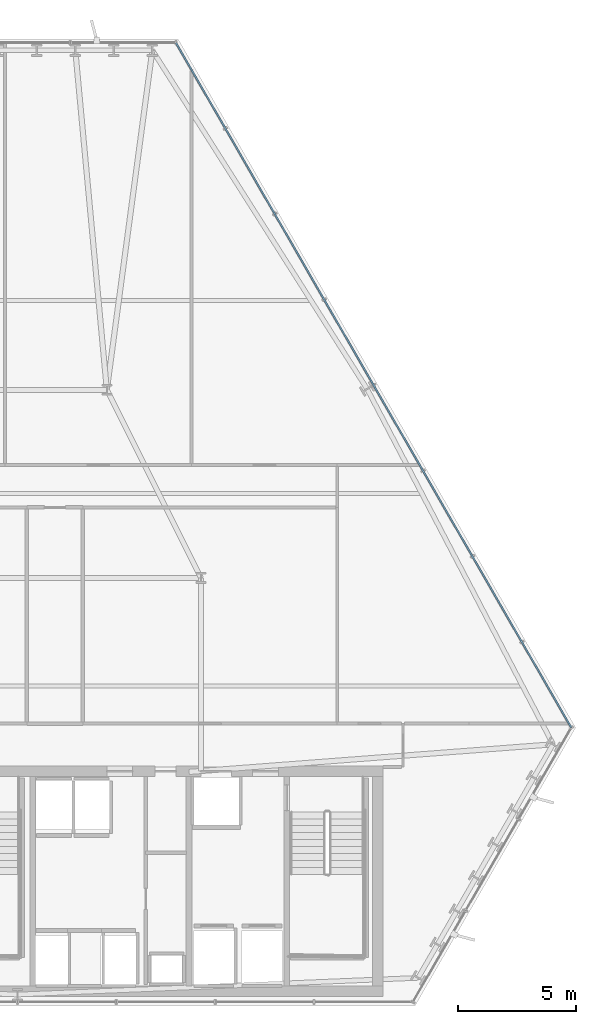
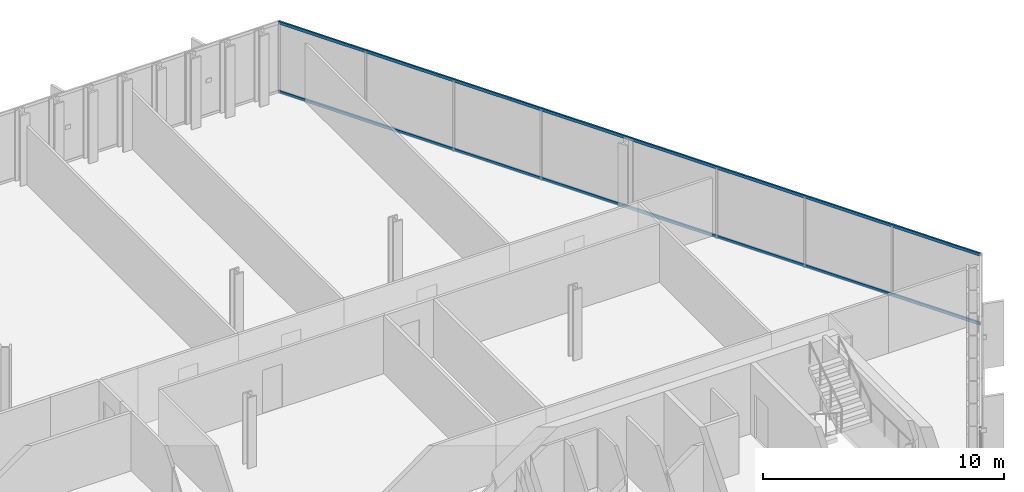
# One storey, part 18 of 31: 2 members, 1 element without a shape of its own.
"""IFC4 building model written with IfcOpenShell, lengths in metres."""

from ifc_helpers import new_model, si_unit, direction, frame, origin, origin_2d, place, context, subcontext, project, spatial, hollow_rectangle, extrude, material, layer, layer_set, material_profile, profile_set, type_object, element, aggregate, save


model = new_model("IFC4")

# Units and contexts
model_context = context("Model", 3, precision=1e-05, world=origin(), true_north=direction((0.0, 1.0)))
body_context = subcontext(model_context, "Body", "Model", "MODEL_VIEW")
ifc_project = project(units=[si_unit("LENGTHUNIT", "METRE"), si_unit("AREAUNIT", "SQUARE_METRE"), si_unit("VOLUMEUNIT", "CUBIC_METRE"), si_unit("PLANEANGLEUNIT", "RADIAN"), si_unit("MASSUNIT", "GRAM", prefix="KILO")], contexts=[model_context])

# Site, building, storey
site_placement = place(None, origin())
site = spatial("IfcSite", under=ifc_project, at=site_placement, CompositionType="ELEMENT")
building_placement = place(site_placement, origin())
building = spatial("IfcBuilding", under=site, at=building_placement, Name="Ndaravel Arena Tower", CompositionType="ELEMENT")
storey_placement = place(building_placement, frame((0.0, 0.0, 104.39990234375)))
storey = spatial("IfcBuildingStorey", under=building, at=storey_placement, Name="L24", CompositionType="ELEMENT", Elevation=104.39990234375)

# Curtain wall, members
ifc_material_1 = material(Name="Aluminium", Category="aluminium")
ifc_layer = layer(ifc_material_1, 0.179931640625)
ifc_layer_set = layer_set([ifc_layer], Name="Aluminium")
curtain_wall_type = type_object("IfcCurtainWallType", Name="CW-SYS-03", PredefinedType="NOTDEFINED", material=ifc_layer_set)
curtain_wall_placement = place(storey_placement, origin())
curtain_wall = element("IfcCurtainWall", 1, at=curtain_wall_placement, inside=storey, type_object=curtain_wall_type, Name="L24 Faceted Crystal Curtain Wall CW-L24-E03", PredefinedType="NOTDEFINED")
ifc_material_2 = material(Name="Aluminium", Category="aluminium")
ifc_material_profile = material_profile(ifc_material_2, hollow_rectangle(XDim=0.074951171875, YDim=0.14990234375, WallThickness=0.00390625, at=origin_2d()), Name="CW TRANSOM 75x150x4")
ifc_profile_set = profile_set([ifc_material_profile], Name="Aluminium")
member_type = type_object("IfcMemberType", Name="MEM-CW-TRN150", PredefinedType="USERDEFINED", material=ifc_profile_set)
member_1_placement = place(storey_placement, frame((65.557373046875, 16.832763671875, 0.0400390625), z_axis=(-0.49999932107, 0.866025795764, 0.0), x_axis=(-0.866025795764, -0.49999932107, 0.0)))
member_1 = element("IfcMember", 2, at=member_1_placement, type_object=member_type, Name="CW-L24-E03 Transom 01", ObjectType="TRANSOM", PredefinedType="USERDEFINED", context=body_context, shape_type="SweptSolid", body=[
    extrude(hollow_rectangle(XDim=0.074951171875, YDim=0.14990234375, WallThickness=0.00390625, at=origin_2d()), origin(), (0.0, 0.0, 1.0), 33.63623046875),
])
member_2_placement = place(storey_placement, frame((65.557373046875, 16.832763671875, 3.5400390625), z_axis=(-0.49999932107, 0.866025795764, 0.0), x_axis=(-0.866025795764, -0.49999932107, 0.0)))
member_2 = element("IfcMember", 3, at=member_2_placement, type_object=member_type, Name="CW-L24-E03 Transom 02", ObjectType="TRANSOM", PredefinedType="USERDEFINED", context=body_context, shape_type="SweptSolid", body=[
    extrude(hollow_rectangle(XDim=0.074951171875, YDim=0.14990234375, WallThickness=0.00390625, at=origin_2d()), origin(), (0.0, 0.0, 1.0), 33.63623046875),
])
aggregate(curtain_wall, [member_1, member_2])

save(model, "model.ifc")
